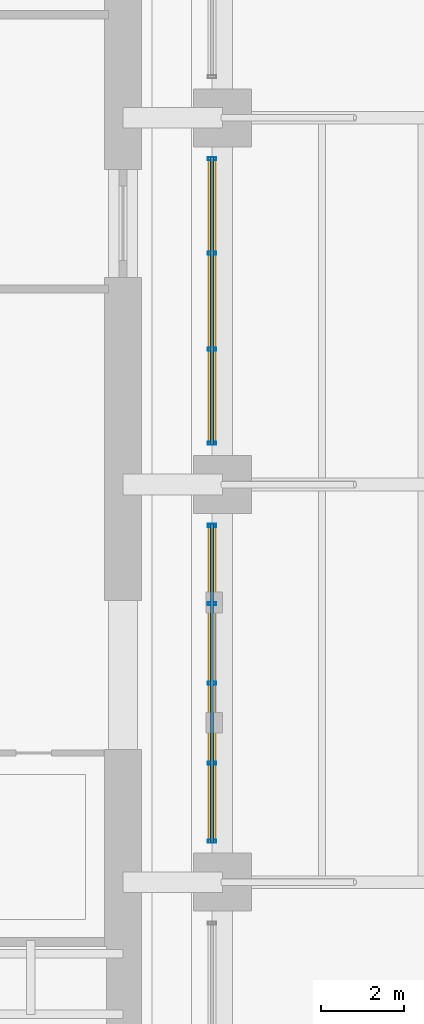
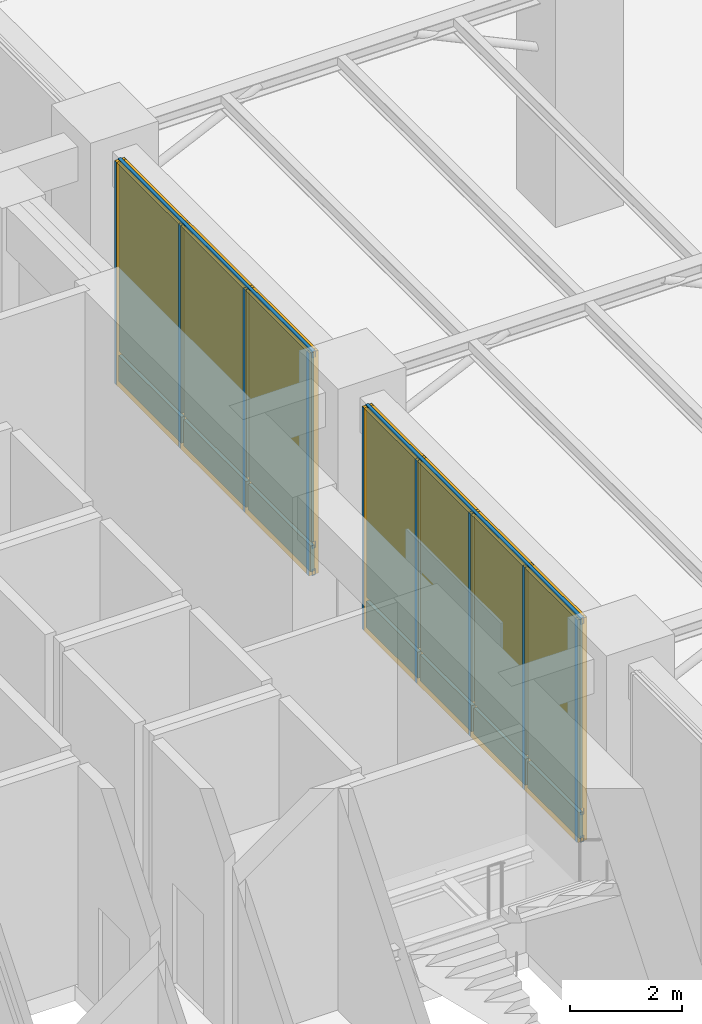
# One storey, part 10 of 24: 15 members, 14 plates, 2 curtain walls.
"""IFC4 building model written with IfcOpenShell, lengths in metres."""

from ifc_helpers import new_model, si_unit, direction, frame, frame_2d, origin, origin_2d, place, context, subcontext, project, spatial, rectangle, hollow_rectangle, extrude, material, layer, layer_set, material_profile, profile_set, type_object, element, aggregate, save


model = new_model("IFC4")

# Units and contexts
model_context = context("Model", 3, precision=1e-05, world=origin(), true_north=direction((0.0, 1.0)))
body_context = subcontext(model_context, "Body", "Model", "MODEL_VIEW")
ifc_project = project(units=[si_unit("LENGTHUNIT", "METRE"), si_unit("AREAUNIT", "SQUARE_METRE"), si_unit("VOLUMEUNIT", "CUBIC_METRE"), si_unit("PLANEANGLEUNIT", "RADIAN"), si_unit("MASSUNIT", "GRAM", prefix="KILO")], contexts=[model_context])

# Member
ifc_material_1 = material(Name="Anodized Aluminium 6063-T6", Category="aluminium")
ifc_material_profile_1 = material_profile(ifc_material_1, hollow_rectangle(XDim=0.074951171875, YDim=0.199951171875, WallThickness=0.00390625, at=origin_2d()), Name="Anodized Aluminium 6063-T6")
ifc_profile_set_1 = profile_set([ifc_material_profile_1], Name="Anodized Aluminium 6063-T6")
member_type_1 = type_object("IfcMemberType", Name="Curtain Wall Mullion 200", PredefinedType="MULLION", material=ifc_profile_set_1)
site_placement = place(None, origin())
building_placement = place(site_placement, origin())
storey_placement = place(building_placement, origin())
member_1_placement = place(storey_placement, frame((18.949951171875, 20.18994140625, 0.0), z_axis=(0.0, 0.0, 1.0), x_axis=(0.0, 1.0, 0.0)))
member_1 = element("IfcMember", 1, at=member_1_placement, type_object=member_type_1, Name="Curtain Wall Mullion CW-L00-LOB-S2-M01", PredefinedType="MULLION", context=body_context, shape_type="SweptSolid", body=[
    extrude(hollow_rectangle(XDim=0.074951171875, YDim=0.199951171875, WallThickness=0.00390625, at=origin_2d()), origin(), (0.0, 0.0, 1.0), 4.860107421875),
])

member_2_placement = place(storey_placement, frame((18.949951171875, 22.074951171875, 0.0), z_axis=(0.0, 0.0, 1.0), x_axis=(0.0, 1.0, 0.0)))
member_2 = element("IfcMember", 2, at=member_2_placement, type_object=member_type_1, Name="Curtain Wall Mullion CW-L00-LOB-S2-M02", PredefinedType="MULLION", context=body_context, shape_type="SweptSolid", body=[
    extrude(hollow_rectangle(XDim=0.074951171875, YDim=0.199951171875, WallThickness=0.00390625, at=origin_2d()), origin(), (0.0, 0.0, 1.0), 4.860107421875),
])

member_3_placement = place(storey_placement, frame((18.949951171875, 24.0, 0.0), z_axis=(0.0, 0.0, 1.0), x_axis=(0.0, 1.0, 0.0)))
member_3 = element("IfcMember", 3, at=member_3_placement, type_object=member_type_1, Name="Curtain Wall Mullion CW-L00-LOB-S2-M03", PredefinedType="MULLION", context=body_context, shape_type="SweptSolid", body=[
    extrude(hollow_rectangle(XDim=0.074951171875, YDim=0.199951171875, WallThickness=0.00390625, at=origin_2d()), origin(), (0.0, 0.0, 1.0), 4.860107421875),
])

member_4_placement = place(storey_placement, frame((18.949951171875, 25.925048828125, 0.0), z_axis=(0.0, 0.0, 1.0), x_axis=(0.0, 1.0, 0.0)))
member_4 = element("IfcMember", 4, at=member_4_placement, type_object=member_type_1, Name="Curtain Wall Mullion CW-L00-LOB-S2-M04", PredefinedType="MULLION", context=body_context, shape_type="SweptSolid", body=[
    extrude(hollow_rectangle(XDim=0.074951171875, YDim=0.199951171875, WallThickness=0.00390625, at=origin_2d()), origin(), (0.0, 0.0, 1.0), 4.860107421875),
])

member_5_placement = place(storey_placement, frame((18.949951171875, 27.81005859375, 0.0), z_axis=(0.0, 0.0, 1.0), x_axis=(0.0, 1.0, 0.0)))
member_5 = element("IfcMember", 5, at=member_5_placement, type_object=member_type_1, Name="Curtain Wall Mullion CW-L00-LOB-S2-M05", PredefinedType="MULLION", context=body_context, shape_type="SweptSolid", body=[
    extrude(hollow_rectangle(XDim=0.074951171875, YDim=0.199951171875, WallThickness=0.00390625, at=origin_2d()), origin(), (0.0, 0.0, 1.0), 4.860107421875),
])

member_6_placement = place(storey_placement, frame((18.949951171875, 29.7900390625, 0.0), z_axis=(0.0, 0.0, 1.0), x_axis=(0.0, 1.0, 0.0)))
member_6 = element("IfcMember", 6, at=member_6_placement, type_object=member_type_1, Name="Curtain Wall Mullion CW-L00-LOB-S3-M01", PredefinedType="MULLION", context=body_context, shape_type="SweptSolid", body=[
    extrude(hollow_rectangle(XDim=0.074951171875, YDim=0.199951171875, WallThickness=0.00390625, at=origin_2d()), origin(), (0.0, 0.0, 1.0), 4.860107421875),
])

member_7_placement = place(storey_placement, frame((18.949951171875, 32.066650390625, 0.0), z_axis=(0.0, 0.0, 1.0), x_axis=(0.0, 1.0, 0.0)))
member_7 = element("IfcMember", 7, at=member_7_placement, type_object=member_type_1, Name="Curtain Wall Mullion CW-L00-LOB-S3-M02", PredefinedType="MULLION", context=body_context, shape_type="SweptSolid", body=[
    extrude(hollow_rectangle(XDim=0.074951171875, YDim=0.199951171875, WallThickness=0.00390625, at=origin_2d()), origin(), (0.0, 0.0, 1.0), 4.860107421875),
])

member_8_placement = place(storey_placement, frame((18.949951171875, 34.38330078125, 0.0), z_axis=(0.0, 0.0, 1.0), x_axis=(0.0, 1.0, 0.0)))
member_8 = element("IfcMember", 8, at=member_8_placement, type_object=member_type_1, Name="Curtain Wall Mullion CW-L00-LOB-S3-M03", PredefinedType="MULLION", context=body_context, shape_type="SweptSolid", body=[
    extrude(hollow_rectangle(XDim=0.074951171875, YDim=0.199951171875, WallThickness=0.00390625, at=origin_2d()), origin(), (0.0, 0.0, 1.0), 4.860107421875),
])

member_9_placement = place(storey_placement, frame((18.949951171875, 36.659912109375, 0.0), z_axis=(0.0, 0.0, 1.0), x_axis=(0.0, 1.0, 0.0)))
member_9 = element("IfcMember", 9, at=member_9_placement, type_object=member_type_1, Name="Curtain Wall Mullion CW-L00-LOB-S3-M04", PredefinedType="MULLION", context=body_context, shape_type="SweptSolid", body=[
    extrude(hollow_rectangle(XDim=0.074951171875, YDim=0.199951171875, WallThickness=0.00390625, at=origin_2d()), origin(), (0.0, 0.0, 1.0), 4.860107421875),
])

ifc_material_profile_2 = material_profile(ifc_material_1, hollow_rectangle(XDim=0.06494140625, YDim=0.139892578125, WallThickness=0.00341796875, at=origin_2d()), Name="Anodized Aluminium 6063-T6")
ifc_profile_set_2 = profile_set([ifc_material_profile_2], Name="Anodized Aluminium 6063-T6")
member_type_2 = type_object("IfcMemberType", Name="Curtain Wall Transom 140", PredefinedType="USERDEFINED", material=ifc_profile_set_2)
member_10_placement = place(storey_placement, frame((18.949951171875, 20.14990234375, 0.050048828125), z_axis=(0.0, 1.0, 0.0), x_axis=(-1.0, 0.0, 0.0)))
member_10 = element("IfcMember", 10, at=member_10_placement, type_object=member_type_2, Name="Curtain Wall Transom CW-L00-LOB-S2-T01", ObjectType="TRANSOM", PredefinedType="USERDEFINED", context=body_context, shape_type="SweptSolid", body=[
    extrude(hollow_rectangle(XDim=0.06494140625, YDim=0.139892578125, WallThickness=0.00341796875, at=origin_2d()), origin(), (0.0, 0.0, 1.0), 7.7001953125),
])

member_11_placement = place(storey_placement, frame((18.949951171875, 20.14990234375, 0.64990234375), z_axis=(0.0, 1.0, 0.0), x_axis=(-1.0, 0.0, 0.0)))
member_11 = element("IfcMember", 11, at=member_11_placement, type_object=member_type_2, Name="Curtain Wall Transom CW-L00-LOB-S2-T02", ObjectType="TRANSOM", PredefinedType="USERDEFINED", context=body_context, shape_type="SweptSolid", body=[
    extrude(hollow_rectangle(XDim=0.06494140625, YDim=0.139892578125, WallThickness=0.00341796875, at=origin_2d()), origin(), (0.0, 0.0, 1.0), 7.7001953125),
])

member_12_placement = place(storey_placement, frame((18.949951171875, 20.14990234375, 4.81005859375), z_axis=(0.0, 1.0, 0.0), x_axis=(-1.0, 0.0, 0.0)))
member_12 = element("IfcMember", 12, at=member_12_placement, type_object=member_type_2, Name="Curtain Wall Transom CW-L00-LOB-S2-T03", ObjectType="TRANSOM", PredefinedType="USERDEFINED", context=body_context, shape_type="SweptSolid", body=[
    extrude(hollow_rectangle(XDim=0.06494140625, YDim=0.139892578125, WallThickness=0.00341796875, at=origin_2d()), origin(), (0.0, 0.0, 1.0), 7.7001953125),
])

member_13_placement = place(storey_placement, frame((18.949951171875, 29.75, 0.050048828125), z_axis=(0.0, 1.0, 0.0), x_axis=(-1.0, 0.0, 0.0)))
member_13 = element("IfcMember", 13, at=member_13_placement, type_object=member_type_2, Name="Curtain Wall Transom CW-L00-LOB-S3-T01", ObjectType="TRANSOM", PredefinedType="USERDEFINED", context=body_context, shape_type="SweptSolid", body=[
    extrude(hollow_rectangle(XDim=0.06494140625, YDim=0.139892578125, WallThickness=0.00341796875, at=origin_2d()), origin(), (0.0, 0.0, 1.0), 6.949951171875),
])

member_14_placement = place(storey_placement, frame((18.949951171875, 29.75, 0.64990234375), z_axis=(0.0, 1.0, 0.0), x_axis=(-1.0, 0.0, 0.0)))
member_14 = element("IfcMember", 14, at=member_14_placement, type_object=member_type_2, Name="Curtain Wall Transom CW-L00-LOB-S3-T02", ObjectType="TRANSOM", PredefinedType="USERDEFINED", context=body_context, shape_type="SweptSolid", body=[
    extrude(hollow_rectangle(XDim=0.06494140625, YDim=0.139892578125, WallThickness=0.00341796875, at=origin_2d()), origin(), (0.0, 0.0, 1.0), 6.949951171875),
])

member_15_placement = place(storey_placement, frame((18.949951171875, 29.75, 4.81005859375), z_axis=(0.0, 1.0, 0.0), x_axis=(-1.0, 0.0, 0.0)))
member_15 = element("IfcMember", 15, at=member_15_placement, type_object=member_type_2, Name="Curtain Wall Transom CW-L00-LOB-S3-T03", ObjectType="TRANSOM", PredefinedType="USERDEFINED", context=body_context, shape_type="SweptSolid", body=[
    extrude(hollow_rectangle(XDim=0.06494140625, YDim=0.139892578125, WallThickness=0.00341796875, at=origin_2d()), origin(), (0.0, 0.0, 1.0), 6.949951171875),
])

# Plate
ifc_material_2 = material(Name="Bird-Friendly Fritted Triple Glazing", Category="glass")
ifc_layer_1 = layer(ifc_material_2, 0.052001953125, Name="Bird-Friendly Fritted Triple Glazing")
ifc_layer_set_1 = layer_set([ifc_layer_1], Name="Bird-Friendly Fritted Triple Glazing")
plate_type_1 = type_object("IfcPlateType", Name="Plate CWGlazing 52", PredefinedType="CURTAIN_PANEL", material=ifc_layer_set_1)
plate_1_placement = place(storey_placement, frame((18.949951171875, 21.112548828125, 0.68994140625), z_axis=(0.0, 0.0, 1.0), x_axis=(0.0, 1.0, 0.0)))
plate_1 = element("IfcPlate", 16, at=plate_1_placement, type_object=plate_type_1, Name="Vision Glazing Panel CW-L00-LOB-S2-GL01", PredefinedType="CURTAIN_PANEL", context=body_context, shape_type="SweptSolid", body=[
    extrude(rectangle(XDim=1.844970703125, YDim=0.052001953125, at=origin_2d()), origin(), (0.0, 0.0, 1.0), 4.1298828125),
])

plate_2_placement = place(storey_placement, frame((18.949951171875, 23.03759765625, 0.68994140625), z_axis=(0.0, 0.0, 1.0), x_axis=(0.0, 1.0, 0.0)))
plate_2 = element("IfcPlate", 17, at=plate_2_placement, type_object=plate_type_1, Name="Vision Glazing Panel CW-L00-LOB-S2-GL02", PredefinedType="CURTAIN_PANEL", context=body_context, shape_type="SweptSolid", body=[
    extrude(rectangle(XDim=1.844970703125, YDim=0.052001953125, at=origin_2d()), origin(), (0.0, 0.0, 1.0), 4.1298828125),
])

plate_3_placement = place(storey_placement, frame((18.949951171875, 24.96240234375, 0.68994140625), z_axis=(0.0, 0.0, 1.0), x_axis=(0.0, 1.0, 0.0)))
plate_3 = element("IfcPlate", 18, at=plate_3_placement, type_object=plate_type_1, Name="Vision Glazing Panel CW-L00-LOB-S2-GL03", PredefinedType="CURTAIN_PANEL", context=body_context, shape_type="SweptSolid", body=[
    extrude(rectangle(XDim=1.844970703125, YDim=0.052001953125, at=origin_2d()), origin(), (0.0, 0.0, 1.0), 4.1298828125),
])

plate_4_placement = place(storey_placement, frame((18.949951171875, 26.887451171875, 0.68994140625), z_axis=(0.0, 0.0, 1.0), x_axis=(0.0, 1.0, 0.0)))
plate_4 = element("IfcPlate", 19, at=plate_4_placement, type_object=plate_type_1, Name="Vision Glazing Panel CW-L00-LOB-S2-GL04", PredefinedType="CURTAIN_PANEL", context=body_context, shape_type="SweptSolid", body=[
    extrude(rectangle(XDim=1.844970703125, YDim=0.052001953125, at=origin_2d()), origin(), (0.0, 0.0, 1.0), 4.1298828125),
])

plate_5_placement = place(storey_placement, frame((18.949951171875, 30.908203125, 0.68994140625), z_axis=(0.0, 0.0, 1.0), x_axis=(0.0, 1.0, 0.0)))
plate_5 = element("IfcPlate", 20, at=plate_5_placement, type_object=plate_type_1, Name="Vision Glazing Panel CW-L00-LOB-S3-GL01", PredefinedType="CURTAIN_PANEL", context=body_context, shape_type="SweptSolid", body=[
    extrude(rectangle(XDim=2.23681640625, YDim=0.052001953125, at=origin_2d()), origin(), (0.0, 0.0, 1.0), 4.1298828125),
])

plate_6_placement = place(storey_placement, frame((18.949951171875, 33.22509765625, 0.68994140625), z_axis=(0.0, 0.0, 1.0), x_axis=(0.0, 1.0, 0.0)))
plate_6 = element("IfcPlate", 21, at=plate_6_placement, type_object=plate_type_1, Name="Vision Glazing Panel CW-L00-LOB-S3-GL02", PredefinedType="CURTAIN_PANEL", context=body_context, shape_type="SweptSolid", body=[
    extrude(rectangle(XDim=2.23681640625, YDim=0.052001953125, at=origin_2d()), origin(), (0.0, 0.0, 1.0), 4.1298828125),
])

plate_7_placement = place(storey_placement, frame((18.949951171875, 35.541748046875, 0.68994140625), z_axis=(0.0, 0.0, 1.0), x_axis=(0.0, 1.0, 0.0)))
plate_7 = element("IfcPlate", 22, at=plate_7_placement, type_object=plate_type_1, Name="Vision Glazing Panel CW-L00-LOB-S3-GL03", PredefinedType="CURTAIN_PANEL", context=body_context, shape_type="SweptSolid", body=[
    extrude(rectangle(XDim=2.23681640625, YDim=0.052001953125, at=origin_2d()), origin(), (0.0, 0.0, 1.0), 4.1298828125),
])

ifc_material_3 = material(Name="Insulated Aluminium Spandrel Panel", Category="aluminium")
ifc_layer_2 = layer(ifc_material_3, 0.080078125, Name="Insulated Aluminium Spandrel Panel")
ifc_layer_set_2 = layer_set([ifc_layer_2], Name="Insulated Aluminium Spandrel Panel")
plate_type_2 = type_object("IfcPlateType", Name="Plate CWSpandrel 80", PredefinedType="SHEET", material=ifc_layer_set_2)
plate_8_placement = place(storey_placement, frame((18.949951171875, 21.112548828125, 0.0400390625), z_axis=(0.0, 0.0, 1.0), x_axis=(0.0, 1.0, 0.0)))
plate_8 = element("IfcPlate", 23, at=plate_8_placement, type_object=plate_type_2, Name="Spandrel Panel CW-L00-LOB-S2-SP01", PredefinedType="SHEET", context=body_context, shape_type="SweptSolid", body=[
    extrude(rectangle(XDim=1.844970703125, YDim=0.080078125, at=origin_2d()), origin(), (0.0, 0.0, 1.0), 0.570068359375),
])

plate_9_placement = place(storey_placement, frame((18.949951171875, 23.03759765625, 0.0400390625), z_axis=(0.0, 0.0, 1.0), x_axis=(0.0, 1.0, 0.0)))
plate_9 = element("IfcPlate", 24, at=plate_9_placement, type_object=plate_type_2, Name="Spandrel Panel CW-L00-LOB-S2-SP02", PredefinedType="SHEET", context=body_context, shape_type="SweptSolid", body=[
    extrude(rectangle(XDim=1.844970703125, YDim=0.080078125, at=origin_2d()), origin(), (0.0, 0.0, 1.0), 0.570068359375),
])

plate_10_placement = place(storey_placement, frame((18.949951171875, 24.96240234375, 0.0400390625), z_axis=(0.0, 0.0, 1.0), x_axis=(0.0, 1.0, 0.0)))
plate_10 = element("IfcPlate", 25, at=plate_10_placement, type_object=plate_type_2, Name="Spandrel Panel CW-L00-LOB-S2-SP03", PredefinedType="SHEET", context=body_context, shape_type="SweptSolid", body=[
    extrude(rectangle(XDim=1.844970703125, YDim=0.080078125, at=origin_2d()), origin(), (0.0, 0.0, 1.0), 0.570068359375),
])

plate_11_placement = place(storey_placement, frame((18.949951171875, 26.887451171875, 0.0400390625), z_axis=(0.0, 0.0, 1.0), x_axis=(0.0, 1.0, 0.0)))
plate_11 = element("IfcPlate", 26, at=plate_11_placement, type_object=plate_type_2, Name="Spandrel Panel CW-L00-LOB-S2-SP04", PredefinedType="SHEET", context=body_context, shape_type="SweptSolid", body=[
    extrude(rectangle(XDim=1.844970703125, YDim=0.080078125, at=origin_2d()), origin(), (0.0, 0.0, 1.0), 0.570068359375),
])

plate_12_placement = place(storey_placement, frame((18.949951171875, 30.908203125, 0.0400390625), z_axis=(0.0, 0.0, 1.0), x_axis=(0.0, 1.0, 0.0)))
plate_12 = element("IfcPlate", 27, at=plate_12_placement, type_object=plate_type_2, Name="Spandrel Panel CW-L00-LOB-S3-SP01", PredefinedType="SHEET", context=body_context, shape_type="SweptSolid", body=[
    extrude(rectangle(XDim=2.23681640625, YDim=0.080078125, at=origin_2d()), origin(), (0.0, 0.0, 1.0), 0.570068359375),
])

plate_13_placement = place(storey_placement, frame((18.949951171875, 33.22509765625, 0.0400390625), z_axis=(0.0, 0.0, 1.0), x_axis=(0.0, 1.0, 0.0)))
plate_13 = element("IfcPlate", 28, at=plate_13_placement, type_object=plate_type_2, Name="Spandrel Panel CW-L00-LOB-S3-SP02", PredefinedType="SHEET", context=body_context, shape_type="SweptSolid", body=[
    extrude(rectangle(XDim=2.23681640625, YDim=0.080078125, at=origin_2d()), origin(), (0.0, 0.0, 1.0), 0.570068359375),
])

plate_14_placement = place(storey_placement, frame((18.949951171875, 35.541748046875, 0.0400390625), z_axis=(0.0, 0.0, 1.0), x_axis=(0.0, 1.0, 0.0)))
plate_14 = element("IfcPlate", 29, at=plate_14_placement, type_object=plate_type_2, Name="Spandrel Panel CW-L00-LOB-S3-SP03", PredefinedType="SHEET", context=body_context, shape_type="SweptSolid", body=[
    extrude(rectangle(XDim=2.23681640625, YDim=0.080078125, at=origin_2d()), origin(), (0.0, 0.0, 1.0), 0.570068359375),
])

# Site, building, storey
site = spatial("IfcSite", under=ifc_project, at=site_placement, CompositionType="ELEMENT")
building = spatial("IfcBuilding", under=site, at=building_placement, Name="Norrvale University Quadrangle", CompositionType="ELEMENT")
storey = spatial("IfcBuildingStorey", under=building, at=storey_placement, Name="L00", CompositionType="ELEMENT", Elevation=0.0)

# Curtain wall
ifc_material_4 = material(Name="Anodized Aluminium and Triple Glazing", Category="glass")
curtain_wall_type = type_object("IfcCurtainWallType", Name="Curtain Wall System 1 Pilotis Lobby", PredefinedType="NOTDEFINED", material=ifc_material_4)
curtain_wall_1_placement = place(storey_placement, frame((18.949951171875, 20.14990234375, 0.0), z_axis=(0.0, 0.0, 1.0), x_axis=(0.0, 1.0, 0.0)))
curtain_wall_1 = element("IfcCurtainWall", 30, at=curtain_wall_1_placement, inside=storey, type_object=curtain_wall_type, Name="Curtain Wall CW System 1 Pilotis Lobby CW-L00-LOB-S2", PredefinedType="NOTDEFINED", context=body_context, shape_type="SweptSolid", body=[
    extrude(rectangle(XDim=7.7001953125, YDim=0.199951171875, at=frame_2d((3.85009765625, 0.0))), origin(), (0.0, 0.0, 1.0), 4.860107421875),
])

aggregate(curtain_wall_1, [member_1, member_2, member_3, member_4, member_5, member_10, member_11, member_12, plate_8, plate_1, plate_9, plate_2, plate_10, plate_3, plate_11, plate_4])

curtain_wall_2_placement = place(storey_placement, frame((18.949951171875, 29.75, 0.0), z_axis=(0.0, 0.0, 1.0), x_axis=(0.0, 1.0, 0.0)))
curtain_wall_2 = element("IfcCurtainWall", 31, at=curtain_wall_2_placement, inside=storey, type_object=curtain_wall_type, Name="Curtain Wall CW System 1 Pilotis Lobby CW-L00-LOB-S3", PredefinedType="NOTDEFINED", context=body_context, shape_type="SweptSolid", body=[
    extrude(rectangle(XDim=6.949951171875, YDim=0.199951171875, at=frame_2d((3.47509765625, 0.0))), origin(), (0.0, 0.0, 1.0), 4.860107421875),
])

aggregate(curtain_wall_2, [member_6, member_7, member_8, member_9, member_13, member_14, member_15, plate_12, plate_5, plate_13, plate_6, plate_14, plate_7])

save(model, "model.ifc")
